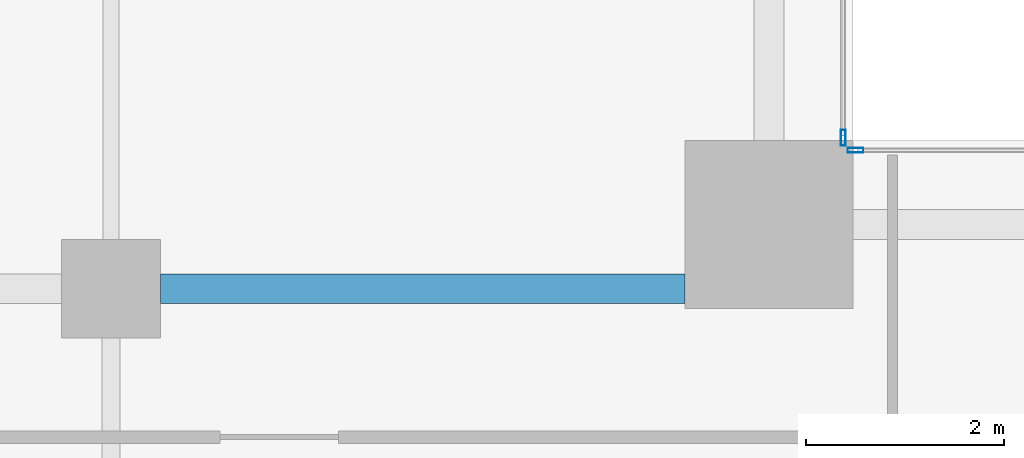
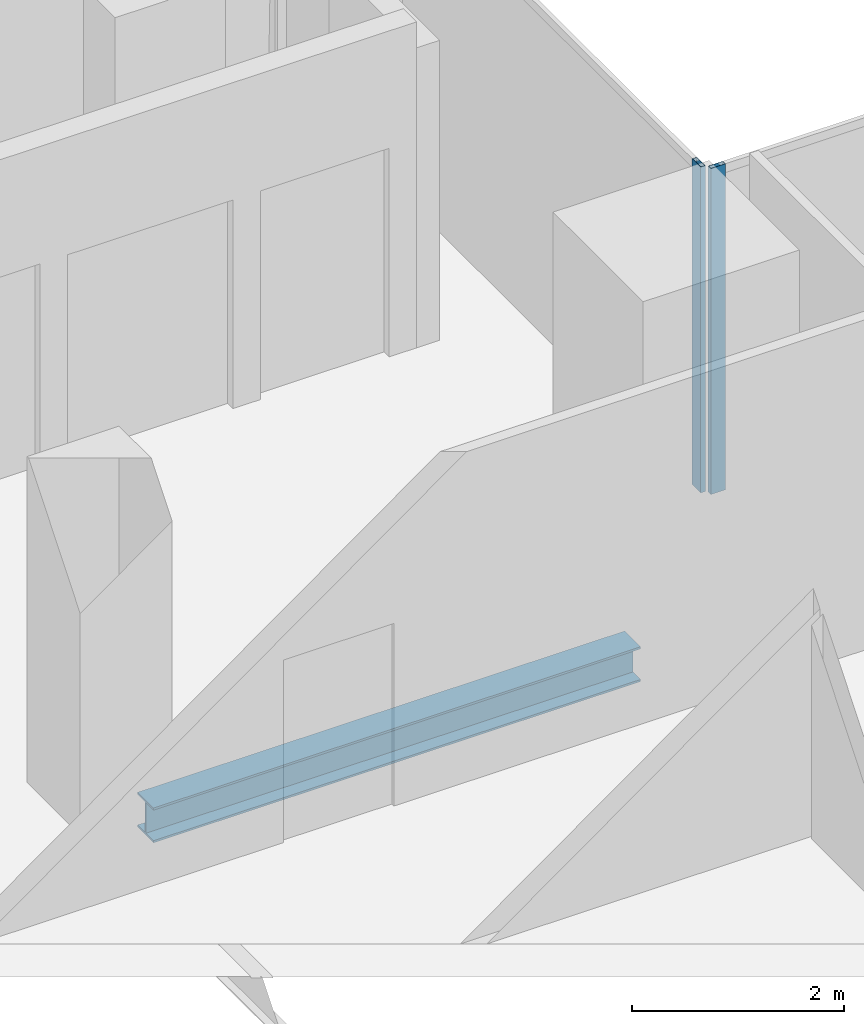
# One storey, part 17 of 32: 2 members, 1 beam, 2 elements without a shape of their own.
"""IFC4 building model written with IfcOpenShell, lengths in metres."""

from ifc_helpers import new_model, si_unit, direction, frame, origin, origin_2d, place, context, subcontext, project, spatial, hollow_rectangle, i_section, extrude, source, transform, mapped, material, material_profile, profile_set, type_object, element, aggregate, save


model = new_model("IFC4")

# Units and contexts
model_context = context("Model", 3, precision=1e-05, world=origin(), true_north=direction((0.0, 1.0)))
body_context = subcontext(model_context, "Body", "Model", "MODEL_VIEW")
ifc_project = project(units=[si_unit("LENGTHUNIT", "METRE"), si_unit("AREAUNIT", "SQUARE_METRE"), si_unit("VOLUMEUNIT", "CUBIC_METRE"), si_unit("PLANEANGLEUNIT", "RADIAN"), si_unit("MASSUNIT", "GRAM", prefix="KILO")], contexts=[model_context])

# Site, building, storey
site_placement = place(None, origin())
site = spatial("IfcSite", under=ifc_project, at=site_placement, CompositionType="ELEMENT")
building_placement = place(site_placement, origin())
building = spatial("IfcBuilding", under=site, at=building_placement, Name="Khomas Fold Tower", CompositionType="ELEMENT")
storey_placement = place(building_placement, frame((0.0, 0.0, 306.199951171875)))
storey = spatial("IfcBuildingStorey", under=building, at=storey_placement, Name="L69", CompositionType="ELEMENT", Elevation=306.199951171875)

# Beam
ifc_material_1 = material(Name="Steel S355", Category="steel")
ifc_material_profile_1 = material_profile(ifc_material_1, i_section(OverallWidth=0.300048828125, OverallDepth=0.39990234375, WebThickness=0.013427734375, FlangeThickness=0.02392578125, at=origin_2d()), Name="HE 400 B")
ifc_profile_set_1 = profile_set([ifc_material_profile_1], Name="Steel S355")
beam_type = type_object("IfcBeamType", Name="HE 400 B beam GB1", PredefinedType="BEAM", material=ifc_profile_set_1)
shared_shape_1 = source(origin(), body_context, "Body", "SweptSolid", [
    extrude(i_section(OverallWidth=0.300048828125, OverallDepth=0.39990234375, WebThickness=0.013427734375, FlangeThickness=0.02392578125, at=origin_2d()), origin(), (0.0, 0.0, 1.0), 5.300048828125),
])
beam_placement = place(storey_placement, frame((35.0, 40.5, -0.449951171875), z_axis=(1.0, 0.0, 0.0), x_axis=(0.0, 1.0, 0.0)))
element("IfcBeam", 1, at=beam_placement, inside=storey, type_object=beam_type, Name="GB1", PredefinedType="BEAM", context=body_context, shape_type="MappedRepresentation", body=[
    mapped(shared_shape_1, transform((0.0, 0.0, 0.0))),
])

# Curtain wall, member
ifc_material_2 = material(Name="Aluminium framed double glazing", Category="aluminium")
curtain_wall_type = type_object("IfcCurtainWallType", Name="SK-Unitised clear-glass wall, upper floors CW3", PredefinedType="NOTDEFINED", material=ifc_material_2)
curtain_wall_1_placement = place(storey_placement, origin())
curtain_wall_1 = element("IfcCurtainWall", 2, at=curtain_wall_1_placement, inside=storey, type_object=curtain_wall_type, Name="CW3 corner return L69 04", PredefinedType="NOTDEFINED")
ifc_material_3 = material(Name="Aluminium", Category="aluminium")
ifc_material_profile_2 = material_profile(ifc_material_3, hollow_rectangle(XDim=0.050048828125, YDim=0.159912109375, WallThickness=0.00390625, at=origin_2d()), Name="SK-Unitised clear-glass wall, upper floors mullion CW3-M")
ifc_profile_set_2 = profile_set([ifc_material_profile_2], Name="Aluminium")
member_type = type_object("IfcMemberType", Name="SK-Unitised clear-glass wall, upper floors mullion CW3-M", PredefinedType="MULLION", material=ifc_profile_set_2)
shared_shape_2 = source(origin(), body_context, "Body", "SweptSolid", [
    extrude(hollow_rectangle(XDim=0.050048828125, YDim=0.159912109375, WallThickness=0.00390625, at=origin_2d()), origin(), (0.0, 0.0, 1.0), 3.75),
])
member_1_placement = place(storey_placement, frame((42.02490234375, 41.89990234375, 0.0), z_axis=(0.0, 0.0, 1.0), x_axis=(0.0, -1.0, 0.0)))
member_1 = element("IfcMember", 3, at=member_1_placement, type_object=member_type, Name="CW3 mullion 2", PredefinedType="MULLION", context=body_context, shape_type="MappedRepresentation", body=[
    mapped(shared_shape_2, transform((0.0, 0.0, 0.0))),
])
aggregate(curtain_wall_1, [member_1])

curtain_wall_2_placement = place(storey_placement, origin())
curtain_wall_2 = element("IfcCurtainWall", 4, at=curtain_wall_2_placement, inside=storey, type_object=curtain_wall_type, Name="CW3 corner return L69 05", PredefinedType="NOTDEFINED")
member_2_placement = place(storey_placement, frame((41.89990234375, 42.02490234375, 0.0), z_axis=(0.0, 0.0, 1.0), x_axis=(-1.0, 0.0, 0.0)))
member_2 = element("IfcMember", 5, at=member_2_placement, type_object=member_type, Name="CW3 mullion 1", PredefinedType="MULLION", context=body_context, shape_type="MappedRepresentation", body=[
    mapped(shared_shape_2, transform((0.0, 0.0, 0.0))),
])
aggregate(curtain_wall_2, [member_2])

save(model, "model.ifc")
